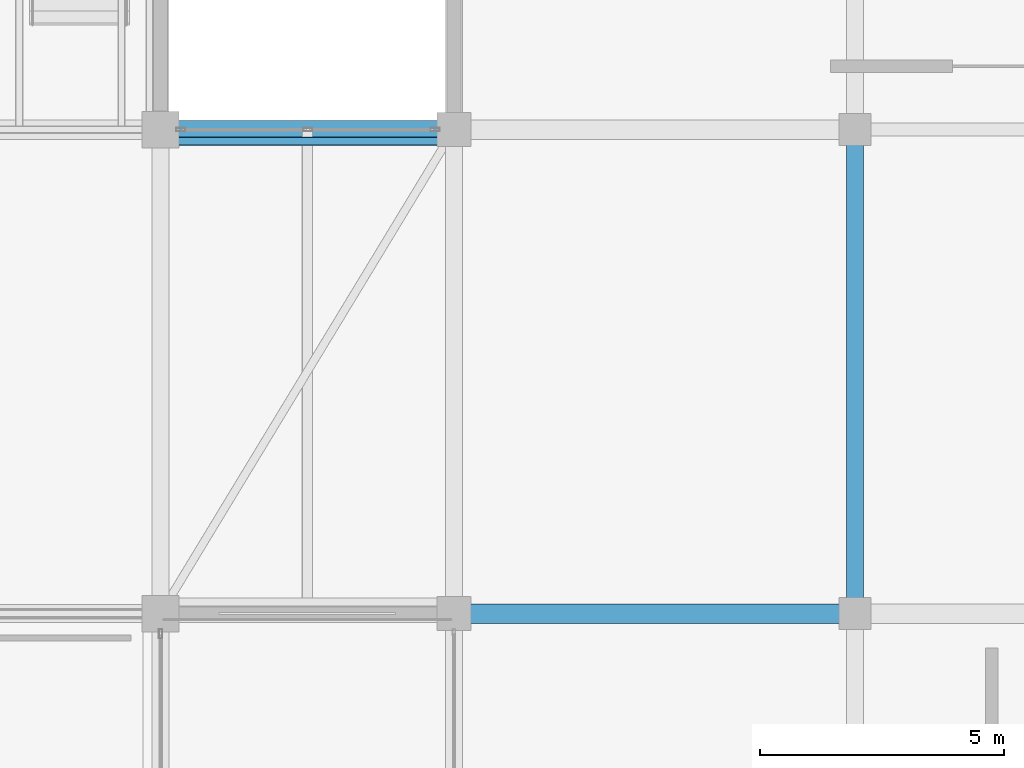
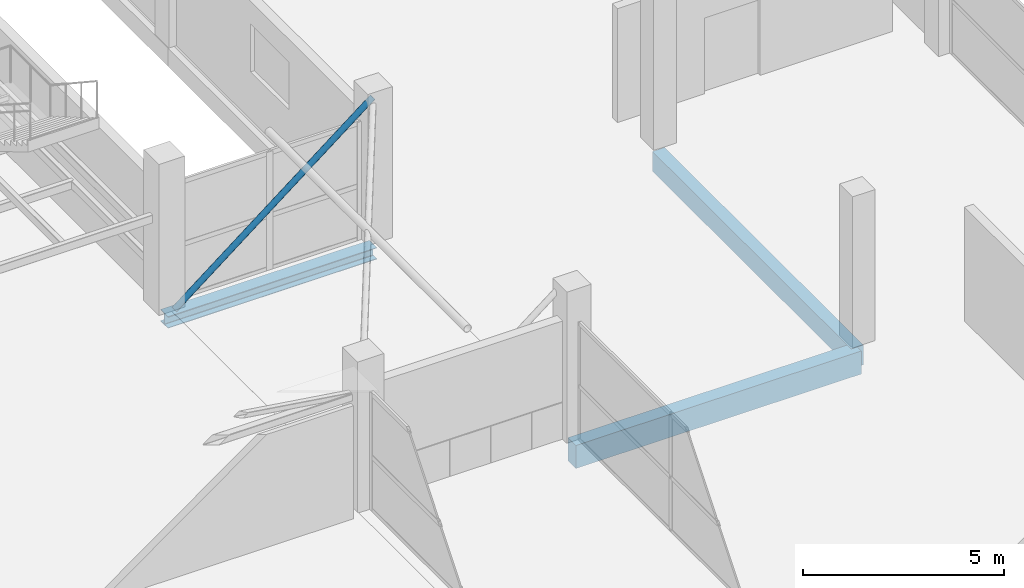
# One storey, part 38 of 69: 3 beams, 1 member.
"""IFC4 building model written with IfcOpenShell, lengths in metres."""

from ifc_helpers import new_model, si_unit, direction, frame, origin, origin_2d, place, context, subcontext, project, spatial, rectangle, hollow_circle, i_section, extrude, material, material_profile, profile_set, type_object, element, save


model = new_model("IFC4")

# Units and contexts
model_context = context("Model", 3, precision=1e-05, world=origin(), true_north=direction((0.0, 1.0)))
body_context = subcontext(model_context, "Body", "Model", "MODEL_VIEW")
ifc_project = project(units=[si_unit("LENGTHUNIT", "METRE"), si_unit("AREAUNIT", "SQUARE_METRE"), si_unit("VOLUMEUNIT", "CUBIC_METRE"), si_unit("PLANEANGLEUNIT", "RADIAN"), si_unit("MASSUNIT", "GRAM", prefix="KILO")], contexts=[model_context])

# Site, building, storey
site_placement = place(None, origin())
site = spatial("IfcSite", under=ifc_project, at=site_placement, CompositionType="ELEMENT")
building_placement = place(site_placement, origin())
building = spatial("IfcBuilding", under=site, at=building_placement, Name="Sillaruma Civic Art Gallery", CompositionType="ELEMENT")
storey_placement = place(building_placement, frame((0.0, 0.0, 42.330078125)))
storey = spatial("IfcBuildingStorey", under=building, at=storey_placement, Name="L08", CompositionType="ELEMENT", Elevation=42.330078125)

# Beams
ifc_material_1 = material(Name="Concrete H35 (35 MPa)", Category="concrete")
ifc_material_profile_1 = material_profile(ifc_material_1, rectangle(XDim=0.35009765625, YDim=0.60009765625, at=origin_2d()), Name="RCB350x600")
ifc_profile_set_1 = profile_set([ifc_material_profile_1], Name="Concrete H35 (35 MPa)")
beam_type_1 = type_object("IfcBeamType", Name="BM-BEAM-RCB350x600", PredefinedType="BEAM", material=ifc_profile_set_1)
beam_1_placement = place(storey_placement, frame((106.199951171875, 69.300048828125, -0.580078125), z_axis=(0.0, 1.0, 0.0), x_axis=(-1.0, 0.0, 0.0)))
element("IfcBeam", 1, at=beam_1_placement, inside=storey, type_object=beam_type_1, Name="Beam BM-06 (L07:M:8-9)", PredefinedType="BEAM", context=body_context, shape_type="SweptSolid", body=[
    extrude(rectangle(XDim=0.35009765625, YDim=0.60009765625, at=origin_2d()), origin(), (0.0, 0.0, 1.0), 9.89990234375),
])
ifc_material_profile_2 = material_profile(ifc_material_1, rectangle(XDim=0.39990234375, YDim=0.699951171875, at=origin_2d()), Name="RCB400x700")
ifc_profile_set_2 = profile_set([ifc_material_profile_2], Name="Concrete H35 (35 MPa)")
beam_type_2 = type_object("IfcBeamType", Name="BM-BEAM-RCB400x700", PredefinedType="BEAM", material=ifc_profile_set_2)
beam_2_placement = place(storey_placement, frame((98.0, 69.300048828125, -0.630126953125), z_axis=(1.0, 0.0, 0.0), x_axis=(0.0, 1.0, 0.0)))
element("IfcBeam", 2, at=beam_2_placement, inside=storey, type_object=beam_type_2, Name="Beam BM-04 (L07:8:L-M)", PredefinedType="BEAM", context=body_context, shape_type="SweptSolid", body=[
    extrude(rectangle(XDim=0.39990234375, YDim=0.699951171875, at=origin_2d()), origin(), (0.0, 0.0, 1.0), 8.199951171875),
])
ifc_material_2 = material(Name="Structural Steel ASTM A992 Gr.50", Category="steel")
ifc_material_profile_3 = material_profile(ifc_material_2, i_section(OverallWidth=0.368896484375, OverallDepth=0.35595703125, WebThickness=0.01123046875, FlangeThickness=0.01806640625, FilletRadius=0.014892578125, at=origin_2d()), Name="W360x134")
ifc_profile_set_3 = profile_set([ifc_material_profile_3], Name="Structural Steel ASTM A992 Gr.50")
beam_type_3 = type_object("IfcBeamType", Name="BM-BRIDGE-W360x134", PredefinedType="SPANDREL", material=ifc_profile_set_3)
beam_3_placement = place(storey_placement, frame((92.0, 79.199951171875, -0.4580078125), z_axis=(1.0, 0.0, 0.0), x_axis=(0.0, 1.0, 0.0)))
element("IfcBeam", 3, at=beam_3_placement, inside=storey, type_object=beam_type_3, Name="Sky-Bridge Steel Edge Girder (BRG-N:L08:N)", PredefinedType="SPANDREL", context=body_context, shape_type="SweptSolid", body=[
    extrude(i_section(OverallWidth=0.368896484375, OverallDepth=0.35595703125, WebThickness=0.01123046875, FlangeThickness=0.01806640625, FilletRadius=0.014892578125, at=origin_2d()), origin(), (0.0, 0.0, 1.0), 6.0),
])

# Member
ifc_material_3 = material(Name="Structural Steel ASTM A500 Gr.C", Category="steel")
ifc_material_profile_4 = material_profile(ifc_material_3, hollow_circle(Radius=0.084228515625, WallThickness=0.007080078125, at=origin_2d()), Name="CHS168.3x7.1")
ifc_profile_set_4 = profile_set([ifc_material_profile_4], Name="Structural Steel ASTM A500 Gr.C")
member_type = type_object("IfcMemberType", Name="MEM-BRIDGE-BRACE", PredefinedType="BRACE", material=ifc_profile_set_4)
member_placement = place(storey_placement, frame((92.14990234375, 78.9599609375, -0.080078125), z_axis=(0.787576177128, 0.0, 0.616217303571), x_axis=(0.0, 1.0, 0.0)))
element("IfcMember", 4, at=member_placement, inside=storey, type_object=member_type, Name="Sky-Bridge Elevation Truss Web Brace (BRG-N:L08:N)", PredefinedType="BRACE", context=body_context, shape_type="SweptSolid", body=[
    extrude(hollow_circle(Radius=0.084228515625, WallThickness=0.007080078125, at=origin_2d()), origin(), (0.0, 0.0, 1.0), 7.237548828125),
])

save(model, "model.ifc")
